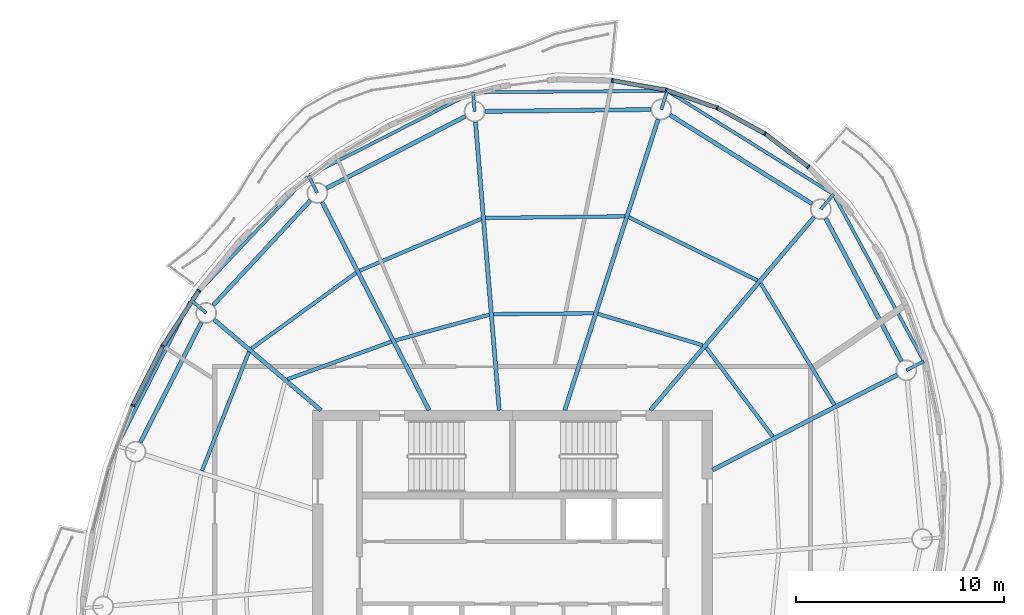
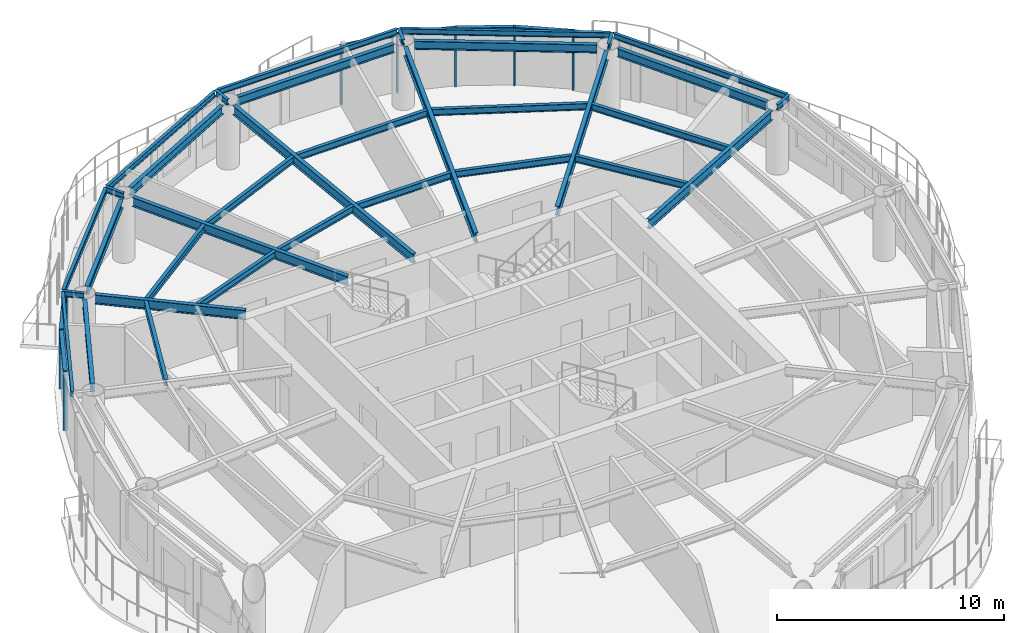
# One storey, part 5 of 13: 35 beams, 14 members, 7 elements without a shape of their own.
"""IFC4 building model written with IfcOpenShell, lengths in metres."""

import ifcopenshell
import ifcopenshell.guid

model = None  # the IFC model being written
_history = None  # IfcOwnerHistory: only IFC2X3 demands one
_inside = {}  # id of a spatial element -> (the spatial element, [elements in it])
_under = {}  # id of a project, library or spatial element -> (it, [spatial elements below it])
_declared = {}  # id of a project -> (the project, [libraries it declares])
_typed = {}  # id of a type object -> (the type object, [elements of that type])
_made_of = {}  # id of a material, layer set ... -> (it, [elements and type objects made of it])


def new_model(schema):
    """Start an empty IFC model of exactly this schema.

    Asked for "IFC4X3", IfcOpenShell would pick the latest addendum, in which some entities
    have other attributes; the version numbers below select the first issue.
    IFC2X3 requires an IfcOwnerHistory on every rooted entity: one is made here for all.
    """
    global model, _history
    if schema == "IFC4X3":
        model = ifcopenshell.file(schema_version=(4, 3, 0, 0))
    else:
        model = ifcopenshell.file(schema=schema)
    _inside.clear()
    _under.clear()
    _declared.clear()
    _typed.clear()
    _made_of.clear()
    _history = None
    if model.schema == "IFC2X3":
        org = make("IfcOrganization", Name="unknown")
        user = make(
            "IfcPersonAndOrganization",
            ThePerson=make("IfcPerson", FamilyName="unknown"),
            TheOrganization=org,
        )
        app = make(
            "IfcApplication",
            ApplicationDeveloper=org,
            Version="unknown",
            ApplicationFullName="unknown",
            ApplicationIdentifier="unknown",
        )
        _history = make(
            "IfcOwnerHistory",
            OwningUser=user,
            OwningApplication=app,
            ChangeAction="ADDED",
            CreationDate=0,
        )
    return model


def make(cls, **values):
    """One entity of the class cls with the attributes given. An attribute that is None is left unset."""
    return model.create_entity(
        cls, **{name: value for name, value in values.items() if value is not None}
    )


def rooted(cls, **values):
    """An entity with a GlobalId (a new one), such as an element, a storey or a relation."""
    return make(cls, GlobalId=ifcopenshell.guid.new(), OwnerHistory=_history, **values)


def si_unit(unit_type, name, prefix=None):
    """IfcSIUnit, for example si_unit("LENGTHUNIT", "METRE", prefix="MILLI")."""
    return make("IfcSIUnit", UnitType=unit_type, Prefix=prefix, Name=name)


def assignment(units):
    """IfcUnitAssignment: the units of a project."""
    return None if units is None else make("IfcUnitAssignment", Units=units)


def point(xyz):
    """IfcCartesianPoint."""
    return None if xyz is None else make("IfcCartesianPoint", Coordinates=xyz)


def direction(xyz):
    """IfcDirection."""
    return None if xyz is None else make("IfcDirection", DirectionRatios=xyz)


def frame(location, z_axis=None, x_axis=None):
    """IfcAxis2Placement3D, a coordinate frame: its origin and axes. An axis left out is left unset."""
    return make(
        "IfcAxis2Placement3D",
        Location=point(location),
        Axis=direction(z_axis),
        RefDirection=direction(x_axis),
    )


def frame_2d(location, x_axis=None):
    """IfcAxis2Placement2D, a coordinate frame in the plane: its origin and x axis."""
    return make(
        "IfcAxis2Placement2D", Location=point(location), RefDirection=direction(x_axis)
    )


def origin():
    """The frame at (0, 0, 0) with its axes left unset."""
    return frame((0.0, 0.0, 0.0))


def origin_2d():
    """The frame at (0, 0) in the plane with its x axis left unset."""
    return frame_2d((0.0, 0.0))


def place(relative_to, where):
    """IfcLocalPlacement: puts the frame where relative to a parent placement (None: the world)."""
    return make(
        "IfcLocalPlacement", PlacementRelTo=relative_to, RelativePlacement=where
    )


def context(
    kind, dimensions, precision=None, world=None, true_north=None, identifier=None
):
    """IfcGeometricRepresentationContext, for example the 3D "Model" context."""
    return make(
        "IfcGeometricRepresentationContext",
        ContextIdentifier=identifier,
        ContextType=kind,
        CoordinateSpaceDimension=dimensions,
        Precision=precision,
        WorldCoordinateSystem=world,
        TrueNorth=true_north,
    )


def subcontext(parent, identifier, kind, view, scale=None):
    """IfcGeometricRepresentationSubContext, for example "Body" below "Model"."""
    return make(
        "IfcGeometricRepresentationSubContext",
        ContextIdentifier=identifier,
        ContextType=kind,
        ParentContext=parent,
        TargetScale=scale,
        TargetView=view,
    )


def project(units=None, contexts=None):
    """IfcProject with its units and contexts."""
    return rooted(
        "IfcProject",
        Name="project",
        RepresentationContexts=contexts,
        UnitsInContext=assignment(units),
    )


def spatial(cls, under=None, at=None, **own):
    """A site, building, storey or space (cls), placed at a placement, below another one or the project."""
    s = rooted(cls, ObjectPlacement=at, **own)
    if under is not None:
        _under.setdefault(under.id(), (under, []))[1].append(s)
    return s


def profile(cls, at=None, kind="AREA", **sizes):
    """A parametric profile (cls). Its sizes go by their IFC names, for example OverallWidth=200.0."""
    return make(cls, ProfileType=kind, Position=at, **sizes)


def rectangle(**sizes):
    """IfcRectangleProfileDef."""
    return profile("IfcRectangleProfileDef", **sizes)


def i_section(**sizes):
    """IfcIShapeProfileDef."""
    return profile("IfcIShapeProfileDef", **sizes)


def extrude(swept, where, along, depth):
    """IfcExtrudedAreaSolid: the profile swept, set in the frame where, extruded along a direction by depth."""
    return make(
        "IfcExtrudedAreaSolid",
        SweptArea=swept,
        Position=where,
        ExtrudedDirection=direction(along),
        Depth=depth,
    )


def shape(context_of_items, identifier, shape_type, items):
    """IfcShapeRepresentation: the items that make up one representation, for example the "Body"."""
    return make(
        "IfcShapeRepresentation",
        ContextOfItems=context_of_items,
        RepresentationIdentifier=identifier,
        RepresentationType=shape_type,
        Items=items,
    )


def material(Name=None, Category=None):
    """IfcMaterial."""
    return make("IfcMaterial", Name=Name, Category=Category)


def material_profile(
    of_material, cross_section, Name=None, Category=None, Priority=None
):
    """IfcMaterialProfile: a cross section and its material."""
    return make(
        "IfcMaterialProfile",
        Name=Name,
        Material=of_material,
        Profile=cross_section,
        Priority=Priority,
        Category=Category,
    )


def profile_set(profiles, Name=None, composite=None):
    """IfcMaterialProfileSet."""
    return make(
        "IfcMaterialProfileSet",
        Name=Name,
        MaterialProfiles=profiles,
        CompositeProfile=composite,
    )


def made_of(thing, what):
    """Note that an element or type object is made of a material, layer set ...; save() writes the relation."""
    if what is not None:
        _made_of.setdefault(what.id(), (what, []))[1].append(thing)
    return thing


def type_object(cls, material=None, **own):
    """A type object (cls), such as IfcWallType, which elements share."""
    return made_of(rooted(cls, **own), material)


def element(
    cls,
    number,
    at=None,
    inside=None,
    cuts=None,
    type_object=None,
    material=None,
    context=None,
    identifier="Body",
    shape_type=None,
    held_by="IfcProductDefinitionShape",
    body=None,
    shapes=None,
    **own,
):
    """One element of the class cls, such as IfcWall. Its Tag is "e" and its number.

    at: its placement. inside: the storey or other place that contains it. cuts: it is an
    opening in that element (IfcRelVoidsElement). A single representation is given by context,
    identifier, shape_type and body (its items); several are given by shapes. held_by: the class
    of the entity that holds the representations. save() writes the other relations.
    """
    e = rooted(cls, Tag="e%d" % number, ObjectPlacement=at, **own)
    if body is not None:
        shapes = [shape(context, identifier, shape_type, body)]
    if shapes is not None:
        e.Representation = make(held_by, Representations=shapes)
    if inside is not None:
        _inside.setdefault(inside.id(), (inside, []))[1].append(e)
    if cuts is not None:
        rooted(
            "IfcRelVoidsElement", RelatingBuildingElement=cuts, RelatedOpeningElement=e
        )
    if type_object is not None:
        _typed.setdefault(type_object.id(), (type_object, []))[1].append(e)
    return made_of(e, material)


def aggregate(whole, parts):
    """IfcRelAggregates: a whole, such as a stair, and the parts it consists of."""
    return rooted("IfcRelAggregates", RelatingObject=whole, RelatedObjects=parts)


def save(model, path):
    """Write the relations noted so far, then the file.

    IfcRelAggregates (storeys below a building ...), IfcRelContainedInSpatialStructure (elements
    in a storey), IfcRelDefinesByType, IfcRelAssociatesMaterial and IfcRelDeclares: one each for
    every whole, place, type object, material and project.
    """
    for whole, parts in _under.values():
        aggregate(whole, parts)
    for where, things in _inside.values():
        rooted(
            "IfcRelContainedInSpatialStructure",
            RelatedElements=things,
            RelatingStructure=where,
        )
    for kind, things in _typed.values():
        rooted("IfcRelDefinesByType", RelatedObjects=things, RelatingType=kind)
    for what, things in _made_of.values():
        rooted("IfcRelAssociatesMaterial", RelatedObjects=things, RelatingMaterial=what)
    for by, libraries in _declared.values():
        rooted("IfcRelDeclares", RelatingContext=by, RelatedDefinitions=libraries)
    model.write(path)


model = new_model("IFC4")

# Units and contexts
model_context = context("Model", 3, precision=1e-05, world=origin(), true_north=direction((0.0, 1.0)))
body_context = subcontext(model_context, "Body", "Model", "MODEL_VIEW")
ifc_project = project(units=[si_unit("LENGTHUNIT", "METRE"), si_unit("AREAUNIT", "SQUARE_METRE"), si_unit("VOLUMEUNIT", "CUBIC_METRE"), si_unit("PLANEANGLEUNIT", "RADIAN"), si_unit("MASSUNIT", "GRAM", prefix="KILO")], contexts=[model_context])

# Site, building, storey
site_placement = place(None, origin())
site = spatial("IfcSite", under=ifc_project, at=site_placement, CompositionType="ELEMENT")
building_placement = place(site_placement, origin())
building = spatial("IfcBuilding", under=site, at=building_placement, Name="Vermilion Reach Broadcast Tower", CompositionType="ELEMENT")
storey_placement = place(building_placement, frame((0.0, 0.0, 297.300048828125)))
storey = spatial("IfcBuildingStorey", under=building, at=storey_placement, Name="L74", CompositionType="ELEMENT", Elevation=297.300048828125)

# Beams
ifc_material_1 = material(Name="Steel S355J2", Category="steel")
ifc_material_profile_1 = material_profile(ifc_material_1, i_section(OverallWidth=0.14990234375, OverallDepth=0.300048828125, WebThickness=0.006591796875, FlangeThickness=0.009033203125, at=origin_2d()), Name="S355J2 HN 300x150x6.5x9")
ifc_profile_set_1 = profile_set([ifc_material_profile_1], Name="Steel S355J2")
beam_type_1 = type_object("IfcBeamType", Name="EB5 HN 300x150x6.5x9", PredefinedType="BEAM", material=ifc_profile_set_1)
beam_1_placement = place(storey_placement, frame((1.346435546875, 23.140380859375, 3.300048828125), z_axis=(-0.999971629622, -0.007532592595, 0.0), x_axis=(0.007532592595, -0.999971629622, 0.0)))
element("IfcBeam", 1, at=beam_1_placement, inside=storey, type_object=beam_type_1, Name="Edge beam EB5-01", PredefinedType="BEAM", context=body_context, shape_type="SweptSolid", body=[
    extrude(i_section(OverallWidth=0.14990234375, OverallDepth=0.300048828125, WebThickness=0.006591796875, FlangeThickness=0.009033203125, at=origin_2d()), origin(), (0.0, 0.0, 1.0), 9.17236328125),
])
beam_2_placement = place(storey_placement, frame((-7.97314453125, 23.033935546875, 3.300048828125), z_axis=(-0.891604217889, -0.452815545936, 0.0), x_axis=(0.452815545936, -0.891604217889, 0.0)))
element("IfcBeam", 2, at=beam_2_placement, inside=storey, type_object=beam_type_1, Name="Edge beam EB5-02", PredefinedType="BEAM", context=body_context, shape_type="SweptSolid", body=[
    extrude(i_section(OverallWidth=0.14990234375, OverallDepth=0.300048828125, WebThickness=0.006591796875, FlangeThickness=0.009033203125, at=origin_2d()), origin(), (0.0, 0.0, 1.0), 8.70263671875),
])
beam_3_placement = place(storey_placement, frame((-15.85400390625, 19.001708984375, 3.300048828125), z_axis=(-0.687701793008, -0.725993280888, 0.0), x_axis=(0.725993280888, -0.687701793008, 0.0)))
element("IfcBeam", 3, at=beam_3_placement, inside=storey, type_object=beam_type_1, Name="Edge beam EB5-03", PredefinedType="BEAM", context=body_context, shape_type="SweptSolid", body=[
    extrude(i_section(OverallWidth=0.14990234375, OverallDepth=0.300048828125, WebThickness=0.006591796875, FlangeThickness=0.009033203125, at=origin_2d()), origin(), (0.0, 0.0, 1.0), 8.05908203125),
])
beam_4_placement = place(storey_placement, frame((-21.48291015625, 13.02734375, 3.300048828125), z_axis=(-0.451232435887, -0.892406459414, 0.0), x_axis=(0.892406459414, -0.451232435887, 0.0)))
element("IfcBeam", 4, at=beam_4_placement, inside=storey, type_object=beam_type_1, Name="Edge beam EB5-04", PredefinedType="BEAM", context=body_context, shape_type="SweptSolid", body=[
    extrude(i_section(OverallWidth=0.14990234375, OverallDepth=0.300048828125, WebThickness=0.006591796875, FlangeThickness=0.009033203125, at=origin_2d()), origin(), (0.0, 0.0, 1.0), 7.6943359375),
])
beam_5_placement = place(storey_placement, frame((13.7158203125, 10.22119140625, 3.300048828125), z_axis=(-0.476526173128, 0.879160284774, 0.0), x_axis=(-0.879160284774, -0.476526173128, 0.0)))
element("IfcBeam", 5, at=beam_5_placement, inside=storey, type_object=beam_type_1, Name="Edge beam EB5-15", PredefinedType="BEAM", context=body_context, shape_type="SweptSolid", body=[
    extrude(i_section(OverallWidth=0.14990234375, OverallDepth=0.300048828125, WebThickness=0.006591796875, FlangeThickness=0.009033203125, at=origin_2d()), origin(), (0.0, 0.0, 1.0), 8.9638671875),
])
beam_6_placement = place(storey_placement, frame((9.341552734375, 18.212646484375, 3.300048828125), z_axis=(-0.848928421209, 0.528507838791, 0.0), x_axis=(-0.528507838791, -0.848928421209, 0.0)))
element("IfcBeam", 6, at=beam_6_placement, inside=storey, type_object=beam_type_1, Name="Edge beam EB5-16", PredefinedType="BEAM", context=body_context, shape_type="SweptSolid", body=[
    extrude(i_section(OverallWidth=0.14990234375, OverallDepth=0.300048828125, WebThickness=0.006591796875, FlangeThickness=0.009033203125, at=origin_2d()), origin(), (0.0, 0.0, 1.0), 9.24755859375),
])
ifc_material_2 = material(Name="Steel S355J2", Category="steel")
ifc_material_profile_2 = material_profile(ifc_material_2, i_section(OverallWidth=0.199951171875, OverallDepth=0.5, WebThickness=0.010009765625, FlangeThickness=0.01611328125, at=origin_2d()), Name="S355J2 HN 500x200x10x16")
ifc_profile_set_2 = profile_set([ifc_material_profile_2], Name="Steel S355J2")
beam_type_2 = type_object("IfcBeamType", Name="G5 HN 500x200x10x16", PredefinedType="BEAM", material=ifc_profile_set_2)
beam_7_placement = place(storey_placement, frame((-3.497314453125, 7.800048828125, 3.199951171875), z_axis=(0.305545401295, 0.952177508528, 0.0), x_axis=(-0.952177508528, 0.305545401295, 0.0)))
element("IfcBeam", 7, at=beam_7_placement, inside=storey, type_object=beam_type_2, Name="Girder G5-01", PredefinedType="BEAM", context=body_context, shape_type="SweptSolid", body=[
    extrude(i_section(OverallWidth=0.199951171875, OverallDepth=0.5, WebThickness=0.010009765625, FlangeThickness=0.01611328125, at=origin_2d()), origin(), (0.0, 0.0, 1.0), 14.672607421875),
])
beam_8_placement = place(storey_placement, frame((-6.642578125, 7.800048828125, 3.199951171875), z_axis=(-0.082123744247, 0.996622140347, 0.0), x_axis=(-0.996622140347, -0.082123744247, 0.0)))
element("IfcBeam", 8, at=beam_8_placement, inside=storey, type_object=beam_type_2, Name="Girder G5-02", PredefinedType="BEAM", context=body_context, shape_type="SweptSolid", body=[
    extrude(i_section(OverallWidth=0.199951171875, OverallDepth=0.5, WebThickness=0.010009765625, FlangeThickness=0.01611328125, at=origin_2d()), origin(), (0.0, 0.0, 1.0), 13.89794921875),
])
beam_9_placement = place(storey_placement, frame((-10.010498046875, 7.800048828125, 3.199951171875), z_axis=(-0.457258168112, 0.889334002327, 0.0), x_axis=(-0.889334002327, -0.457258168112, 0.0)))
element("IfcBeam", 9, at=beam_9_placement, inside=storey, type_object=beam_type_2, Name="Girder G5-03", PredefinedType="BEAM", context=body_context, shape_type="SweptSolid", body=[
    extrude(i_section(OverallWidth=0.199951171875, OverallDepth=0.5, WebThickness=0.010009765625, FlangeThickness=0.01611328125, at=origin_2d()), origin(), (0.0, 0.0, 1.0), 11.236328125),
])
beam_10_placement = place(storey_placement, frame((-15.20068359375, 7.800048828125, 3.199951171875), z_axis=(-0.762793125612, 0.646642596431, 0.0), x_axis=(-0.646642596431, -0.762793125612, 0.0)))
element("IfcBeam", 10, at=beam_10_placement, inside=storey, type_object=beam_type_2, Name="Girder G5-04", PredefinedType="BEAM", context=body_context, shape_type="SweptSolid", body=[
    extrude(i_section(OverallWidth=0.199951171875, OverallDepth=0.5, WebThickness=0.010009765625, FlangeThickness=0.01611328125, at=origin_2d()), origin(), (0.0, 0.0, 1.0), 6.732421875),
])
beam_11_placement = place(storey_placement, frame((3.60009765625, 4.935791015625, 3.199951171875), z_axis=(0.889332502449, 0.457261085254, 0.0), x_axis=(-0.457261085254, 0.889332502449, 0.0)))
element("IfcBeam", 11, at=beam_11_placement, inside=storey, type_object=beam_type_2, Name="Girder G5-15", PredefinedType="BEAM", context=body_context, shape_type="SweptSolid", body=[
    extrude(i_section(OverallWidth=0.199951171875, OverallDepth=0.5, WebThickness=0.010009765625, FlangeThickness=0.01611328125, at=origin_2d()), origin(), (0.0, 0.0, 1.0), 9.96337890625),
])
beam_12_placement = place(storey_placement, frame((0.612548828125, 7.800048828125, 3.199951171875), z_axis=(0.646658335602, 0.762779782766, 0.0), x_axis=(-0.762779782766, 0.646658335602, 0.0)))
element("IfcBeam", 12, at=beam_12_placement, inside=storey, type_object=beam_type_2, Name="Girder G5-16", PredefinedType="BEAM", context=body_context, shape_type="SweptSolid", body=[
    extrude(i_section(OverallWidth=0.199951171875, OverallDepth=0.5, WebThickness=0.010009765625, FlangeThickness=0.01611328125, at=origin_2d()), origin(), (0.0, 0.0, 1.0), 12.16064453125),
])
ifc_material_3 = material(Name="Steel S355J2", Category="steel")
ifc_material_profile_3 = material_profile(ifc_material_3, i_section(OverallWidth=0.14990234375, OverallDepth=0.300048828125, WebThickness=0.006591796875, FlangeThickness=0.009033203125, at=origin_2d()), Name="S355J2 HN 300x150x6.5x9")
ifc_profile_set_3 = profile_set([ifc_material_profile_3], Name="Steel S355J2")
beam_type_3 = type_object("IfcBeamType", Name="GS5 HN 300x150x6.5x9", PredefinedType="BEAM", material=ifc_profile_set_3)
beam_13_placement = place(storey_placement, frame((1.138427734375, 22.2470703125, 3.300048828125), z_axis=(0.305596628184, 0.95216106875, 0.0), x_axis=(-0.95216106875, 0.305596628184, 0.0)))
element("IfcBeam", 13, at=beam_13_placement, inside=storey, type_object=beam_type_3, Name="Cantilever stub GS5-01", PredefinedType="BEAM", context=body_context, shape_type="SweptSolid", body=[
    extrude(i_section(OverallWidth=0.14990234375, OverallDepth=0.300048828125, WebThickness=0.006591796875, FlangeThickness=0.009033203125, at=origin_2d()), origin(), (0.0, 0.0, 1.0), 0.938720703125),
])
beam_14_placement = place(storey_placement, frame((-7.824951171875, 22.1494140625, 3.300048828125), z_axis=(-0.082149174093, 0.996620044548, 0.0), x_axis=(-0.996620044548, -0.082149174093, 0.0)))
element("IfcBeam", 14, at=beam_14_placement, inside=storey, type_object=beam_type_3, Name="Cantilever stub GS5-02", PredefinedType="BEAM", context=body_context, shape_type="SweptSolid", body=[
    extrude(i_section(OverallWidth=0.14990234375, OverallDepth=0.300048828125, WebThickness=0.006591796875, FlangeThickness=0.009033203125, at=origin_2d()), origin(), (0.0, 0.0, 1.0), 0.92431640625),
])
beam_15_placement = place(storey_placement, frame((-15.376953125, 18.23779296875, 3.300048828125), z_axis=(-0.457228572872, 0.889349218333, 0.0), x_axis=(-0.889349218333, -0.457228572872, 0.0)))
element("IfcBeam", 15, at=beam_15_placement, inside=storey, type_object=beam_type_3, Name="Cantilever stub GS5-03", PredefinedType="BEAM", context=body_context, shape_type="SweptSolid", body=[
    extrude(i_section(OverallWidth=0.14990234375, OverallDepth=0.300048828125, WebThickness=0.006591796875, FlangeThickness=0.009033203125, at=origin_2d()), origin(), (0.0, 0.0, 1.0), 0.923828125),
])
beam_16_placement = place(storey_placement, frame((-20.717529296875, 12.476806640625, 3.300048828125), z_axis=(-0.762718692688, 0.64673038882, 0.0), x_axis=(-0.64673038882, -0.762718692688, 0.0)))
element("IfcBeam", 16, at=beam_16_placement, inside=storey, type_object=beam_type_3, Name="Cantilever stub GS5-04", PredefinedType="BEAM", context=body_context, shape_type="SweptSolid", body=[
    extrude(i_section(OverallWidth=0.14990234375, OverallDepth=0.300048828125, WebThickness=0.006591796875, FlangeThickness=0.009033203125, at=origin_2d()), origin(), (0.0, 0.0, 1.0), 0.957763671875),
])
beam_17_placement = place(storey_placement, frame((12.905517578125, 9.72021484375, 3.300048828125), z_axis=(0.88934146644, 0.457243650662, 0.0), x_axis=(-0.457243650662, 0.88934146644, 0.0)))
element("IfcBeam", 17, at=beam_17_placement, inside=storey, type_object=beam_type_3, Name="Cantilever stub GS5-15", PredefinedType="BEAM", context=body_context, shape_type="SweptSolid", body=[
    extrude(i_section(OverallWidth=0.14990234375, OverallDepth=0.300048828125, WebThickness=0.006591796875, FlangeThickness=0.009033203125, at=origin_2d()), origin(), (0.0, 0.0, 1.0), 0.951416015625),
])
beam_18_placement = place(storey_placement, frame((8.799560546875, 17.457275390625, 3.300048828125), z_axis=(0.646665495652, 0.762773712665, 0.0), x_axis=(-0.762773712665, 0.646665495652, 0.0)))
element("IfcBeam", 18, at=beam_18_placement, inside=storey, type_object=beam_type_3, Name="Cantilever stub GS5-16", PredefinedType="BEAM", context=body_context, shape_type="SweptSolid", body=[
    extrude(i_section(OverallWidth=0.14990234375, OverallDepth=0.300048828125, WebThickness=0.006591796875, FlangeThickness=0.009033203125, at=origin_2d()), origin(), (0.0, 0.0, 1.0), 0.937744140625),
])
ifc_material_4 = material(Name="Steel S355J2", Category="steel")
ifc_material_profile_4 = material_profile(ifc_material_4, i_section(OverallWidth=0.199951171875, OverallDepth=0.449951171875, WebThickness=0.009033203125, FlangeThickness=0.013916015625, at=origin_2d()), Name="S355J2 HN 450x200x9x14")
ifc_profile_set_4 = profile_set([ifc_material_profile_4], Name="Steel S355J2")
beam_type_4 = type_object("IfcBeamType", Name="RB5 HN 450x200x9x14", PredefinedType="BEAM", material=ifc_profile_set_4)
beam_19_placement = place(storey_placement, frame((0.638427734375, 22.24169921875, 3.224853515625), z_axis=(-0.999940445231, -0.010913569149, 0.0), x_axis=(0.010913569149, -0.999940445231, 0.0)))
element("IfcBeam", 19, at=beam_19_placement, inside=storey, type_object=beam_type_4, Name="Ring beam RB5-01", PredefinedType="BEAM", context=body_context, shape_type="SweptSolid", body=[
    extrude(i_section(OverallWidth=0.199951171875, OverallDepth=0.449951171875, WebThickness=0.009033203125, FlangeThickness=0.013916015625, at=origin_2d()), origin(), (0.0, 0.0, 1.0), 7.9638671875),
])
beam_20_placement = place(storey_placement, frame((-8.268798828125, 21.91943359375, 3.224853515625), z_axis=(-0.887960248279, -0.459920207729, 0.0), x_axis=(0.459920207729, -0.887960248279, 0.0)))
element("IfcBeam", 20, at=beam_20_placement, inside=storey, type_object=beam_type_4, Name="Ring beam RB5-02", PredefinedType="BEAM", context=body_context, shape_type="SweptSolid", body=[
    extrude(i_section(OverallWidth=0.199951171875, OverallDepth=0.449951171875, WebThickness=0.009033203125, FlangeThickness=0.013916015625, at=origin_2d()), origin(), (0.0, 0.0, 1.0), 7.5048828125),
])
beam_21_placement = place(storey_placement, frame((-15.716796875, 17.87109375, 3.224853515625), z_axis=(-0.679837550075, -0.733362738014, 0.0), x_axis=(0.733362738014, -0.679837550075, 0.0)))
element("IfcBeam", 21, at=beam_21_placement, inside=storey, type_object=beam_type_4, Name="Ring beam RB5-03", PredefinedType="BEAM", context=body_context, shape_type="SweptSolid", body=[
    extrude(i_section(OverallWidth=0.199951171875, OverallDepth=0.449951171875, WebThickness=0.009033203125, FlangeThickness=0.013916015625, at=origin_2d()), origin(), (0.0, 0.0, 1.0), 6.85546875),
])
beam_22_placement = place(storey_placement, frame((-20.944091796875, 12.03125, 3.224853515625), z_axis=(-0.453052302855, -0.891483937532, 0.0), x_axis=(0.891483937532, -0.453052302855, 0.0)))
element("IfcBeam", 22, at=beam_22_placement, inside=storey, type_object=beam_type_4, Name="Ring beam RB5-04", PredefinedType="BEAM", context=body_context, shape_type="SweptSolid", body=[
    extrude(i_section(OverallWidth=0.199951171875, OverallDepth=0.449951171875, WebThickness=0.009033203125, FlangeThickness=0.013916015625, at=origin_2d()), origin(), (0.0, 0.0, 1.0), 6.47900390625),
])
beam_23_placement = place(storey_placement, frame((12.671142578125, 10.161865234375, 3.224853515625), z_axis=(-0.468767917375, 0.883321368269, 0.0), x_axis=(-0.883321368269, -0.468767917375, 0.0)))
element("IfcBeam", 23, at=beam_23_placement, inside=storey, type_object=beam_type_4, Name="Ring beam RB5-15", PredefinedType="BEAM", context=body_context, shape_type="SweptSolid", body=[
    extrude(i_section(OverallWidth=0.199951171875, OverallDepth=0.449951171875, WebThickness=0.009033203125, FlangeThickness=0.013916015625, at=origin_2d()), origin(), (0.0, 0.0, 1.0), 7.759033203125),
])
beam_24_placement = place(storey_placement, frame((8.375732421875, 17.722412109375, 3.224853515625), z_axis=(-0.847914653245, 0.530132757724, 0.0), x_axis=(-0.530132757724, -0.847914653245, 0.0)))
element("IfcBeam", 24, at=beam_24_placement, inside=storey, type_object=beam_type_4, Name="Ring beam RB5-16", PredefinedType="BEAM", context=body_context, shape_type="SweptSolid", body=[
    extrude(i_section(OverallWidth=0.199951171875, OverallDepth=0.449951171875, WebThickness=0.009033203125, FlangeThickness=0.013916015625, at=origin_2d()), origin(), (0.0, 0.0, 1.0), 8.035400390625),
])
ifc_material_5 = material(Name="Steel S355J2", Category="steel")
ifc_material_profile_5 = material_profile(ifc_material_5, i_section(OverallWidth=0.175048828125, OverallDepth=0.35009765625, WebThickness=0.007080078125, FlangeThickness=0.010986328125, at=origin_2d()), Name="S355J2 HN 350x175x7x11")
ifc_profile_set_5 = profile_set([ifc_material_profile_5], Name="Steel S355J2")
beam_type_5 = type_object("IfcBeamType", Name="SB5 HN 350x175x7x11", PredefinedType="BEAM", material=ifc_profile_set_5)
beam_25_placement = place(storey_placement, frame((-2.108154296875, 12.4560546875, 3.27490234375), z_axis=(-0.999968312294, -0.007960804474, 0.0), x_axis=(0.007960804474, -0.999968312294, 0.0)))
element("IfcBeam", 25, at=beam_25_placement, inside=storey, type_object=beam_type_5, Name="Secondary beam SB5-01-1", PredefinedType="BEAM", context=body_context, shape_type="SweptSolid", body=[
    extrude(i_section(OverallWidth=0.175048828125, OverallDepth=0.35009765625, WebThickness=0.007080078125, FlangeThickness=0.010986328125, at=origin_2d()), origin(), (0.0, 0.0, 1.0), 4.81494140625),
])
beam_26_placement = place(storey_placement, frame((-0.614013671875, 17.11279296875, 3.27490234375), z_axis=(-0.999932654133, -0.011605481368, 0.0), x_axis=(0.011605481368, -0.999932654133, 0.0)))
element("IfcBeam", 26, at=beam_26_placement, inside=storey, type_object=beam_type_5, Name="Secondary beam SB5-01-2", PredefinedType="BEAM", context=body_context, shape_type="SweptSolid", body=[
    extrude(i_section(OverallWidth=0.175048828125, OverallDepth=0.35009765625, WebThickness=0.007080078125, FlangeThickness=0.010986328125, at=origin_2d()), origin(), (0.0, 0.0, 1.0), 6.689697265625),
])
beam_27_placement = place(storey_placement, frame((-7.12109375, 12.39013671875, 3.27490234375), z_axis=(-0.964547496851, -0.263909314573, 0.0), x_axis=(0.263909314573, -0.964547496851, 0.0)))
element("IfcBeam", 27, at=beam_27_placement, inside=storey, type_object=beam_type_5, Name="Secondary beam SB5-02-1", PredefinedType="BEAM", context=body_context, shape_type="SweptSolid", body=[
    extrude(i_section(OverallWidth=0.175048828125, OverallDepth=0.35009765625, WebThickness=0.007080078125, FlangeThickness=0.010986328125, at=origin_2d()), origin(), (0.0, 0.0, 1.0), 4.6689453125),
])
beam_28_placement = place(storey_placement, frame((-7.50048828125, 16.99267578125, 3.27490234375), z_axis=(-0.919880986172, -0.392197617637, 0.0), x_axis=(0.392197617637, -0.919880986172, 0.0)))
element("IfcBeam", 28, at=beam_28_placement, inside=storey, type_object=beam_type_5, Name="Secondary beam SB5-02-2", PredefinedType="BEAM", context=body_context, shape_type="SweptSolid", body=[
    extrude(i_section(OverallWidth=0.175048828125, OverallDepth=0.35009765625, WebThickness=0.007080078125, FlangeThickness=0.010986328125, at=origin_2d()), origin(), (0.0, 0.0, 1.0), 6.351806640625),
])
beam_29_placement = place(storey_placement, frame((-11.81787109375, 11.0966796875, 3.27490234375), z_axis=(-0.940220108875, -0.340567389613, 0.0), x_axis=(0.340567389613, -0.940220108875, 0.0)))
element("IfcBeam", 29, at=beam_29_placement, inside=storey, type_object=beam_type_5, Name="Secondary beam SB5-03-1", PredefinedType="BEAM", context=body_context, shape_type="SweptSolid", body=[
    extrude(i_section(OverallWidth=0.175048828125, OverallDepth=0.35009765625, WebThickness=0.007080078125, FlangeThickness=0.010986328125, at=origin_2d()), origin(), (0.0, 0.0, 1.0), 5.303466796875),
])
beam_30_placement = place(storey_placement, frame((-13.517578125, 14.402587890625, 3.27490234375), z_axis=(-0.809771251518, -0.586745703192, 0.0), x_axis=(0.586745703192, -0.809771251518, 0.0)))
element("IfcBeam", 30, at=beam_30_placement, inside=storey, type_object=beam_type_5, Name="Secondary beam SB5-03-2", PredefinedType="BEAM", context=body_context, shape_type="SweptSolid", body=[
    extrude(i_section(OverallWidth=0.175048828125, OverallDepth=0.35009765625, WebThickness=0.007080078125, FlangeThickness=0.010986328125, at=origin_2d()), origin(), (0.0, 0.0, 1.0), 6.20361328125),
])
beam_31_placement = place(storey_placement, frame((-18.6630859375, 10.604248046875, 3.27490234375), z_axis=(-0.366931189603, -0.930248086317, 0.0), x_axis=(0.930248086317, -0.366931189603, 0.0)))
element("IfcBeam", 31, at=beam_31_placement, inside=storey, type_object=beam_type_5, Name="Secondary beam SB5-04-2", PredefinedType="BEAM", context=body_context, shape_type="SweptSolid", body=[
    extrude(i_section(OverallWidth=0.175048828125, OverallDepth=0.35009765625, WebThickness=0.007080078125, FlangeThickness=0.010986328125, at=origin_2d()), origin(), (0.0, 0.0, 1.0), 6.141357421875),
])
beam_32_placement = place(storey_placement, frame((6.492919921875, 6.53564453125, 3.27490234375), z_axis=(-0.599055582645, 0.800707442767, 0.0), x_axis=(-0.800707442767, -0.599055582645, 0.0)))
element("IfcBeam", 32, at=beam_32_placement, inside=storey, type_object=beam_type_5, Name="Secondary beam SB5-15-1", PredefinedType="BEAM", context=body_context, shape_type="SweptSolid", body=[
    extrude(i_section(OverallWidth=0.175048828125, OverallDepth=0.35009765625, WebThickness=0.007080078125, FlangeThickness=0.010986328125, at=origin_2d()), origin(), (0.0, 0.0, 1.0), 5.337890625),
])
beam_33_placement = place(storey_placement, frame((9.455078125, 8.058837890625, 3.27490234375), z_axis=(-0.519272962556, 0.854608442714, 0.0), x_axis=(-0.854608442714, -0.519272962556, 0.0)))
element("IfcBeam", 33, at=beam_33_placement, inside=storey, type_object=beam_type_5, Name="Secondary beam SB5-15-2", PredefinedType="BEAM", context=body_context, shape_type="SweptSolid", body=[
    extrude(i_section(OverallWidth=0.175048828125, OverallDepth=0.35009765625, WebThickness=0.007080078125, FlangeThickness=0.010986328125, at=origin_2d()), origin(), (0.0, 0.0, 1.0), 6.82763671875),
])
beam_34_placement = place(storey_placement, frame((3.129150390625, 10.92333984375, 3.27490234375), z_axis=(-0.958124906971, 0.286350593925, 0.0), x_axis=(-0.286350593925, -0.958124906971, 0.0)))
element("IfcBeam", 34, at=beam_34_placement, inside=storey, type_object=beam_type_5, Name="Secondary beam SB5-16-1", PredefinedType="BEAM", context=body_context, shape_type="SweptSolid", body=[
    extrude(i_section(OverallWidth=0.175048828125, OverallDepth=0.35009765625, WebThickness=0.007080078125, FlangeThickness=0.010986328125, at=origin_2d()), origin(), (0.0, 0.0, 1.0), 5.25634765625),
])
beam_35_placement = place(storey_placement, frame((5.762451171875, 14.029541015625, 3.27490234375), z_axis=(-0.897335928087, 0.441348198325, 0.0), x_axis=(-0.441348198325, -0.897335928087, 0.0)))
element("IfcBeam", 35, at=beam_35_placement, inside=storey, type_object=beam_type_5, Name="Secondary beam SB5-16-2", PredefinedType="BEAM", context=body_context, shape_type="SweptSolid", body=[
    extrude(i_section(OverallWidth=0.175048828125, OverallDepth=0.35009765625, WebThickness=0.007080078125, FlangeThickness=0.010986328125, at=origin_2d()), origin(), (0.0, 0.0, 1.0), 6.887451171875),
])

# Curtain wall, member
ifc_material_6 = material(Name="Low-e laminated clear glass in aluminium frame", Category="aluminium")
curtain_wall_type = type_object("IfcCurtainWallType", Name="Slot curtain wall", PredefinedType="NOTDEFINED", material=ifc_material_6)
placement = place(storey_placement, origin())
curtain_wall_1 = element("IfcCurtainWall", 36, at=placement, inside=storey, type_object=curtain_wall_type, Name="Slot curtain wall L74 46", PredefinedType="NOTDEFINED")
ifc_material_7 = material(Name="Anodised aluminium", Category="aluminium")
ifc_material_profile_6 = material_profile(ifc_material_7, rectangle(XDim=0.199951171875, YDim=0.080078125, at=origin_2d()), Name="Slot mullion 80 x 200")
ifc_profile_set_6 = profile_set([ifc_material_profile_6], Name="Anodised aluminium")
member_type_1 = type_object("IfcMemberType", Name="Slot mullion 80 x 200", PredefinedType="MULLION", material=ifc_profile_set_6)
member_1_placement = place(storey_placement, frame((8.2001953125, 19.49267578125, 0.0), z_axis=(0.0, 0.0, 1.0), x_axis=(-0.666968411881, -0.745085993395, 0.0)))
member_1 = element("IfcMember", 37, at=member_1_placement, type_object=member_type_1, Name="Slot mullion L74 46", PredefinedType="MULLION", context=body_context, shape_type="SweptSolid", body=[
    extrude(rectangle(XDim=0.199951171875, YDim=0.080078125, at=origin_2d()), origin(), (0.0, 0.0, 1.0), 3.14990234375),
])

curtain_wall_2 = element("IfcCurtainWall", 38, at=placement, inside=storey, type_object=curtain_wall_type, Name="Slot curtain wall L74 47", PredefinedType="NOTDEFINED")
member_2_placement = place(storey_placement, frame((6.115966796875, 21.086669921875, 0.0), z_axis=(0.0, 0.0, 1.0), x_axis=(-0.542718942268, -0.839914370459, 0.0)))
member_2 = element("IfcMember", 39, at=member_2_placement, type_object=member_type_1, Name="Slot mullion L74 47", PredefinedType="MULLION", context=body_context, shape_type="SweptSolid", body=[
    extrude(rectangle(XDim=0.199951171875, YDim=0.080078125, at=origin_2d()), origin(), (0.0, 0.0, 1.0), 3.14990234375),
])

curtain_wall_3 = element("IfcCurtainWall", 40, at=placement, inside=storey, type_object=curtain_wall_type, Name="Slot curtain wall L74 00", PredefinedType="NOTDEFINED")
member_3_placement = place(storey_placement, frame((3.826171875, 22.3212890625, 0.0), z_axis=(0.0, 0.0, 1.0), x_axis=(-0.4029063388, -0.915241215284, 0.0)))
member_3 = element("IfcMember", 41, at=member_3_placement, type_object=member_type_1, Name="Slot mullion L74 00", PredefinedType="MULLION", context=body_context, shape_type="SweptSolid", body=[
    extrude(rectangle(XDim=0.199951171875, YDim=0.080078125, at=origin_2d()), origin(), (0.0, 0.0, 1.0), 3.14990234375),
])

# Curtain wall, members
curtain_wall_4 = element("IfcCurtainWall", 42, at=placement, inside=storey, type_object=curtain_wall_type, Name="Slot curtain wall L74 01", PredefinedType="NOTDEFINED")
member_4_placement = place(storey_placement, frame((1.369384765625, 23.176025390625, 0.0), z_axis=(0.0, 0.0, 1.0), x_axis=(-0.252931945417, -0.967484072731, 0.0)))
member_4 = element("IfcMember", 43, at=member_4_placement, type_object=member_type_1, Name="Slot mullion L74 01", PredefinedType="MULLION", context=body_context, shape_type="SweptSolid", body=[
    extrude(rectangle(XDim=0.199951171875, YDim=0.080078125, at=origin_2d()), origin(), (0.0, 0.0, 1.0), 3.14990234375),
])
member_5_placement = place(storey_placement, frame((-1.213623046875, 23.636962890625, 0.0), z_axis=(0.0, 0.0, 1.0), x_axis=(-0.099085154924, -0.995078957708, 0.0)))
member_5 = element("IfcMember", 44, at=member_5_placement, type_object=member_type_1, Name="Slot mullion L74 02", PredefinedType="MULLION", context=body_context, shape_type="SweptSolid", body=[
    extrude(rectangle(XDim=0.199951171875, YDim=0.080078125, at=origin_2d()), origin(), (0.0, 0.0, 1.0), 3.14990234375),
])

# Curtain wall, member
curtain_wall_5 = element("IfcCurtainWall", 45, at=placement, inside=storey, type_object=curtain_wall_type, Name="Slot curtain wall L74 10", PredefinedType="NOTDEFINED")
member_6_placement = place(storey_placement, frame((-21.068359375, 13.544677734375, 0.0), z_axis=(0.0, 0.0, 1.0), x_axis=(0.807362404776, -0.590055884942, 0.0)))
member_6 = element("IfcMember", 46, at=member_6_placement, type_object=member_type_1, Name="Slot mullion L74 10", PredefinedType="MULLION", context=body_context, shape_type="SweptSolid", body=[
    extrude(rectangle(XDim=0.199951171875, YDim=0.080078125, at=origin_2d()), origin(), (0.0, 0.0, 1.0), 3.14990234375),
])

curtain_wall_6 = element("IfcCurtainWall", 47, at=placement, inside=storey, type_object=curtain_wall_type, Name="Slot curtain wall L74 11", PredefinedType="NOTDEFINED")
member_7_placement = place(storey_placement, frame((-22.799072265625, 10.881103515625, 0.0), z_axis=(0.0, 0.0, 1.0), x_axis=(0.866671207675, -0.498879762855, 0.0)))
member_7 = element("IfcMember", 48, at=member_7_placement, type_object=member_type_1, Name="Slot mullion L74 11", PredefinedType="MULLION", context=body_context, shape_type="SweptSolid", body=[
    extrude(rectangle(XDim=0.199951171875, YDim=0.080078125, at=origin_2d()), origin(), (0.0, 0.0, 1.0), 3.14990234375),
])

curtain_wall_7 = element("IfcCurtainWall", 49, at=placement, inside=storey, type_object=curtain_wall_type, Name="Slot curtain wall L74 12", PredefinedType="NOTDEFINED")
member_8_placement = place(storey_placement, frame((-24.241455078125, 8.0302734375, 0.0), z_axis=(0.0, 0.0, 1.0), x_axis=(0.915241186179, -0.402906404916, 0.0)))
member_8 = element("IfcMember", 50, at=member_8_placement, type_object=member_type_1, Name="Slot mullion L74 12", PredefinedType="MULLION", context=body_context, shape_type="SweptSolid", body=[
    extrude(rectangle(XDim=0.199951171875, YDim=0.080078125, at=origin_2d()), origin(), (0.0, 0.0, 1.0), 3.14990234375),
])
aggregate(curtain_wall_7, [member_8])

# Member
ifc_material_8 = material(Name="Anodised aluminium", Category="aluminium")
ifc_material_profile_7 = material_profile(ifc_material_8, rectangle(XDim=0.199951171875, YDim=0.10009765625, at=origin_2d()), Name="Slot transom 200 x 100")
ifc_profile_set_7 = profile_set([ifc_material_profile_7], Name="Anodised aluminium")
member_type_2 = type_object("IfcMemberType", Name="Slot transom 200 x 100", PredefinedType="USERDEFINED", material=ifc_profile_set_7)
member_9_placement = place(storey_placement, frame((8.16845703125, 19.51708984375, 3.099853515625), z_axis=(-0.794379625766, 0.607421608249, 0.0), x_axis=(-0.607421608249, -0.794379625766, 0.0)))
member_9 = element("IfcMember", 51, at=member_9_placement, type_object=member_type_2, Name="Slot transom L74 46.1", ObjectType="TRANSOM", PredefinedType="USERDEFINED", context=body_context, shape_type="SweptSolid", body=[
    extrude(rectangle(XDim=0.199951171875, YDim=0.10009765625, at=origin_2d()), origin(), (0.0, 0.0, 1.0), 2.543701171875),
])

aggregate(curtain_wall_1, [member_1, member_9])

member_10_placement = place(storey_placement, frame((6.080810546875, 21.10546875, 3.099853515625), z_axis=(-0.880194256812, 0.474613601022, 0.0), x_axis=(-0.474613601022, -0.880194256812, 0.0)))
member_10 = element("IfcMember", 52, at=member_10_placement, type_object=member_type_2, Name="Slot transom L74 47.1", ObjectType="TRANSOM", PredefinedType="USERDEFINED", context=body_context, shape_type="SweptSolid", body=[
    extrude(rectangle(XDim=0.199951171875, YDim=0.10009765625, at=origin_2d()), origin(), (0.0, 0.0, 1.0), 2.521484375),
])

aggregate(curtain_wall_2, [member_2, member_10])

member_11_placement = place(storey_placement, frame((3.788330078125, 22.334228515625, 3.099853515625), z_axis=(-0.944447142888, 0.328663344916, 0.0), x_axis=(-0.328663344916, -0.944447142888, 0.0)))
member_11 = element("IfcMember", 53, at=member_11_placement, type_object=member_type_2, Name="Slot transom L74 00.1", ObjectType="TRANSOM", PredefinedType="USERDEFINED", context=body_context, shape_type="SweptSolid", body=[
    extrude(rectangle(XDim=0.199951171875, YDim=0.10009765625, at=origin_2d()), origin(), (0.0, 0.0, 1.0), 2.521240234375),
])

aggregate(curtain_wall_3, [member_3, member_11])

member_12_placement = place(storey_placement, frame((1.330078125, 23.18310546875, 3.099853515625), z_axis=(-0.984457218392, 0.175624557385, 0.0), x_axis=(-0.175624557385, -0.984457218392, 0.0)))
member_12 = element("IfcMember", 54, at=member_12_placement, type_object=member_type_2, Name="Slot transom L74 01.1", ObjectType="TRANSOM", PredefinedType="USERDEFINED", context=body_context, shape_type="SweptSolid", body=[
    extrude(rectangle(XDim=0.199951171875, YDim=0.10009765625, at=origin_2d()), origin(), (0.0, 0.0, 1.0), 2.5439453125),
])

aggregate(curtain_wall_4, [member_4, member_5, member_12])

member_13_placement = place(storey_placement, frame((-21.090087890625, 13.510986328125, 3.099853515625), z_axis=(-0.544891350732, -0.838506658231, 0.0), x_axis=(0.838506658231, -0.544891350732, 0.0)))
member_13 = element("IfcMember", 55, at=member_13_placement, type_object=member_type_2, Name="Slot transom L74 10.1", ObjectType="TRANSOM", PredefinedType="USERDEFINED", context=body_context, shape_type="SweptSolid", body=[
    extrude(rectangle(XDim=0.199951171875, YDim=0.10009765625, at=origin_2d()), origin(), (0.0, 0.0, 1.0), 3.096435546875),
])

aggregate(curtain_wall_5, [member_6, member_13])

member_14_placement = place(storey_placement, frame((-22.817138671875, 10.845458984375, 3.099853515625), z_axis=(-0.451440846853, -0.892301048858, 0.0), x_axis=(0.892301048858, -0.451440846853, 0.0)))
member_14 = element("IfcMember", 56, at=member_14_placement, type_object=member_type_2, Name="Slot transom L74 11.1", ObjectType="TRANSOM", PredefinedType="USERDEFINED", context=body_context, shape_type="SweptSolid", body=[
    extrude(rectangle(XDim=0.199951171875, YDim=0.10009765625, at=origin_2d()), origin(), (0.0, 0.0, 1.0), 3.114990234375),
])

aggregate(curtain_wall_6, [member_7, member_14])

save(model, "model.ifc")
